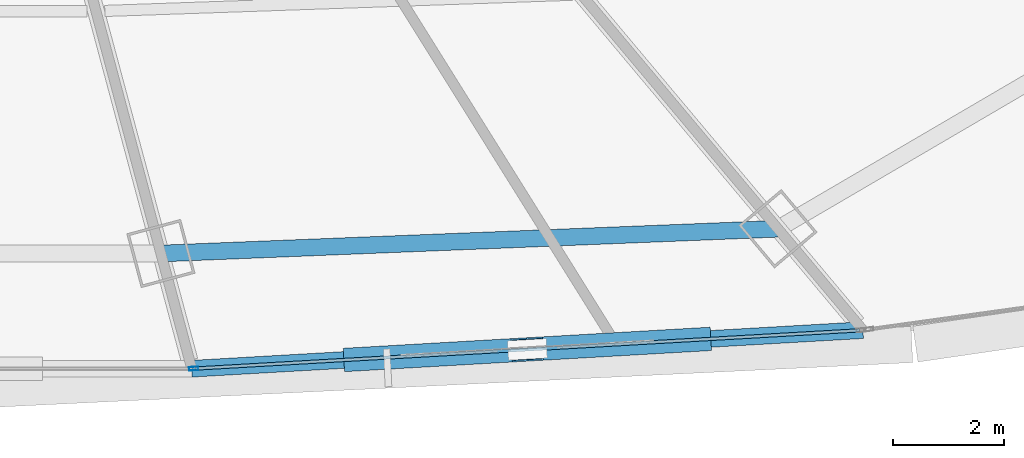
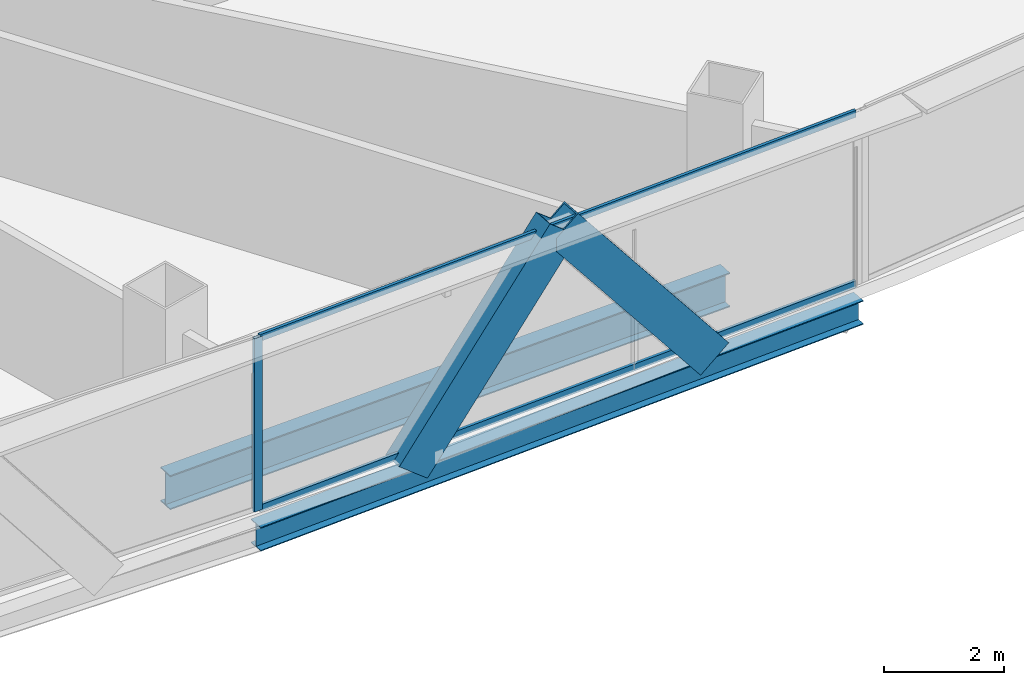
# One storey, part 10 of 37: 5 members, 2 beams, 1 element without a shape of its own.
"""IFC4 building model written with IfcOpenShell, lengths in metres."""

from ifc_helpers import new_model, si_unit, direction, frame, origin, origin_2d, place, context, subcontext, project, spatial, hollow_rectangle, i_section, extrude, source, transform, mapped, material, layer, layer_set, material_profile, profile_set, type_object, element, aggregate, save


model = new_model("IFC4")

# Units and contexts
model_context = context("Model", 3, precision=1e-05, world=origin(), true_north=direction((0.0, 1.0)))
body_context = subcontext(model_context, "Body", "Model", "MODEL_VIEW")
ifc_project = project(units=[si_unit("LENGTHUNIT", "METRE"), si_unit("AREAUNIT", "SQUARE_METRE"), si_unit("VOLUMEUNIT", "CUBIC_METRE"), si_unit("PLANEANGLEUNIT", "RADIAN"), si_unit("MASSUNIT", "GRAM", prefix="KILO"), si_unit("THERMODYNAMICTEMPERATUREUNIT", "KELVIN"), si_unit("POWERUNIT", "WATT")], contexts=[model_context])

# Site, building, storey
site_placement = place(None, origin())
site = spatial("IfcSite", under=ifc_project, at=site_placement, CompositionType="ELEMENT")
building_placement = place(site_placement, origin())
building = spatial("IfcBuilding", under=site, at=building_placement, Name="Yunzhuo Pagoda Commons", CompositionType="ELEMENT")
storey_placement = place(building_placement, frame((0.0, 0.0, 84.97998046875)))
storey = spatial("IfcBuildingStorey", under=building, at=storey_placement, Name="L21", CompositionType="ELEMENT", Elevation=84.97998046875)

# Beams
ifc_material_1 = material(Name="Structural steel Q355B", Category="steel")
ifc_material_profile_1 = material_profile(ifc_material_1, i_section(OverallWidth=0.300048828125, OverallDepth=0.488037109375, WebThickness=0.010986328125, FlangeThickness=0.01806640625, at=origin_2d()), Name="Structural steel Q355B")
ifc_profile_set_1 = profile_set([ifc_material_profile_1], Name="Structural steel Q355B")
beam_type_1 = type_object("IfcBeamType", Name="B-SP1 Beam HM 488x300x11x18", PredefinedType="BEAM", material=ifc_profile_set_1)
shared_shape_1 = source(origin(), body_context, "Body", "SweptSolid", [
    extrude(i_section(OverallWidth=0.300048828125, OverallDepth=0.488037109375, WebThickness=0.010986328125, FlangeThickness=0.01806640625, at=origin_2d()), origin(), (0.0, 0.0, 1.0), 12.060791015625),
])
beam_1_placement = place(storey_placement, frame((53.92138671875, 11.60107421875, -0.50390625), z_axis=(0.99834961986, 0.057428534065, 0.0), x_axis=(-0.057428534065, 0.99834961986, 0.0)))
element("IfcBeam", 1, at=beam_1_placement, inside=storey, type_object=beam_type_1, Name="L21 facade edge spandrel beam F1.3", PredefinedType="BEAM", context=body_context, shape_type="MappedRepresentation", body=[
    mapped(shared_shape_1, transform((0.0, 0.0, 0.0), scale=1.0)),
])
ifc_material_profile_2 = material_profile(ifc_material_1, i_section(OverallWidth=0.300048828125, OverallDepth=0.699951171875, WebThickness=0.012939453125, FlangeThickness=0.02392578125, at=origin_2d()), Name="Structural steel Q355B")
ifc_profile_set_2 = profile_set([ifc_material_profile_2], Name="Structural steel Q355B")
beam_type_2 = type_object("IfcBeamType", Name="B-RG1 Beam HN 700x300x13x24", PredefinedType="BEAM", material=ifc_profile_set_2)
shared_shape_2 = source(origin(), body_context, "Body", "SweptSolid", [
    extrude(i_section(OverallWidth=0.300048828125, OverallDepth=0.699951171875, WebThickness=0.012939453125, FlangeThickness=0.02392578125, at=origin_2d()), origin(), (0.0, 0.0, 1.0), 11.077392578125),
])
beam_2_placement = place(storey_placement, frame((53.367431640625, 13.66845703125, -0.60986328125), z_axis=(0.999196975427, 0.040067496776, 0.0), x_axis=(-0.040067496776, 0.999196975427, 0.0)))
element("IfcBeam", 2, at=beam_2_placement, inside=storey, type_object=beam_type_2, Name="L21 column-ring beam 3", PredefinedType="BEAM", context=body_context, shape_type="MappedRepresentation", body=[
    mapped(shared_shape_2, transform((0.0, 0.0, 0.0), scale=1.0)),
])

# Members
ifc_material_2 = material(Name="Structural steel Q420B", Category="steel")
ifc_material_profile_3 = material_profile(ifc_material_2, hollow_rectangle(XDim=0.419921875, YDim=0.719970703125, WallThickness=0.028076171875, at=origin_2d()), Name="Structural steel Q420B")
ifc_profile_set_3 = profile_set([ifc_material_profile_3], Name="Structural steel Q420B")
member_type_1 = type_object("IfcMemberType", Name="M-DL1 Brace BOX 720x420x28", PredefinedType="BRACE", material=ifc_profile_set_3)
shared_shape_3 = source(origin(), body_context, "Body", "SweptSolid", [
    extrude(hollow_rectangle(XDim=0.419921875, YDim=0.719970703125, WallThickness=0.028076171875, at=origin_2d()), origin(), (0.0, 0.0, 1.0), 4.85107421875),
])
for number, where, z_axis, x_axis, name in (
    (3, (56.931640625, 11.774169921875, -0.260009765625), (0.620489586315, 0.035732630893, 0.783400186599), (-0.057492547184, 0.998345935545, 0.0), "L21 facade diamond brace F1.3L"),
    (4, (62.951904296875, 12.120849609375, -0.260009765625), (-0.620520536001, -0.03573151505, 0.783375722903), (0.057487899777, -0.998346203168, 0.0), "L21 facade diamond brace F1.3R"),
):
    element("IfcMember", number, at=place(storey_placement, frame(where, z_axis=z_axis, x_axis=x_axis)), inside=storey, type_object=member_type_1, Name=name, PredefinedType="BRACE", context=body_context, shape_type="MappedRepresentation", body=[
        mapped(shared_shape_3, transform((0.0, 0.0, 0.0), scale=1.0)),
    ])

# Curtain wall, members
ifc_material_3 = material(Name="Anodized aluminium 6063-T6", Category="aluminium")
ifc_layer = layer(ifc_material_3, 0.1650390625)
ifc_layer_set = layer_set([ifc_layer], Name="Anodized aluminium 6063-T6")
curtain_wall_type = type_object("IfcCurtainWallType", Name="CW-LOW Low-Zone Ribbon Curtain Wall", PredefinedType="NOTDEFINED", material=ifc_layer_set)
curtain_wall_placement = place(storey_placement, origin())
curtain_wall = element("IfcCurtainWall", 5, at=curtain_wall_placement, inside=storey, type_object=curtain_wall_type, Name="L21 curtain wall CW-L21-F1B4", PredefinedType="NOTDEFINED")
ifc_material_profile_4 = material_profile(ifc_material_3, hollow_rectangle(XDim=0.06494140625, YDim=0.1650390625, WallThickness=0.00390625, at=origin_2d()), Name="Anodized aluminium 6063-T6")
ifc_profile_set_4 = profile_set([ifc_material_profile_4], Name="Anodized aluminium 6063-T6")
member_type_2 = type_object("IfcMemberType", Name="CW-LOW-M Mullion RHS 165x65x4", PredefinedType="MULLION", material=ifc_profile_set_4)
shared_shape_4 = source(origin(), body_context, "Body", "SweptSolid", [
    extrude(hollow_rectangle(XDim=0.06494140625, YDim=0.1650390625, WallThickness=0.00390625, at=origin_2d()), origin(), (0.0, 0.0, 1.0), 3.5400390625),
])
member_1_placement = place(storey_placement, frame((53.953857421875, 11.60302734375, 0.000244140625), z_axis=(0.0, 0.0, 1.0), x_axis=(-0.057418382325, 0.998350203772, 0.0)))
member_1 = element("IfcMember", 6, at=member_1_placement, type_object=member_type_2, Name="CW mullion 1", PredefinedType="MULLION", context=body_context, shape_type="MappedRepresentation", body=[
    mapped(shared_shape_4, transform((0.0, 0.0, 0.0), scale=1.0)),
])
ifc_material_profile_5 = material_profile(ifc_material_3, hollow_rectangle(XDim=0.06005859375, YDim=0.139892578125, WallThickness=0.00341796875, at=origin_2d()), Name="Anodized aluminium 6063-T6")
ifc_profile_set_5 = profile_set([ifc_material_profile_5], Name="Anodized aluminium 6063-T6")
member_type_3 = type_object("IfcMemberType", Name="CW-LOW-T Transom RHS 140x60x3.5", PredefinedType="USERDEFINED", material=ifc_profile_set_5)
shared_shape_5 = source(origin(), body_context, "Body", "SweptSolid", [
    extrude(hollow_rectangle(XDim=0.06005859375, YDim=0.139892578125, WallThickness=0.00341796875, at=origin_2d()), origin(), (0.0, 0.0, 1.0), 11.9306640625),
])
member_2_placement = place(storey_placement, frame((53.986328125, 11.604736328125, 0.030029296875), z_axis=(0.998350086209, 0.057420426382, 0.0), x_axis=(-0.057420426382, 0.998350086209, 0.0)))
member_2 = element("IfcMember", 7, at=member_2_placement, type_object=member_type_3, Name="CW transom 1.1", ObjectType="TRANSOM", PredefinedType="USERDEFINED", context=body_context, shape_type="MappedRepresentation", body=[
    mapped(shared_shape_5, transform((0.0, 0.0, 0.0), scale=1.0)),
])
member_3_placement = place(storey_placement, frame((53.986328125, 11.604736328125, 3.510009765625), z_axis=(0.998350086209, 0.057420426382, 0.0), x_axis=(-0.057420426382, 0.998350086209, 0.0)))
member_3 = element("IfcMember", 8, at=member_3_placement, type_object=member_type_3, Name="CW transom 1.2", ObjectType="TRANSOM", PredefinedType="USERDEFINED", context=body_context, shape_type="MappedRepresentation", body=[
    mapped(shared_shape_5, transform((0.0, 0.0, 0.0), scale=1.0)),
])
aggregate(curtain_wall, [member_1, member_2, member_3])

save(model, "model.ifc")
